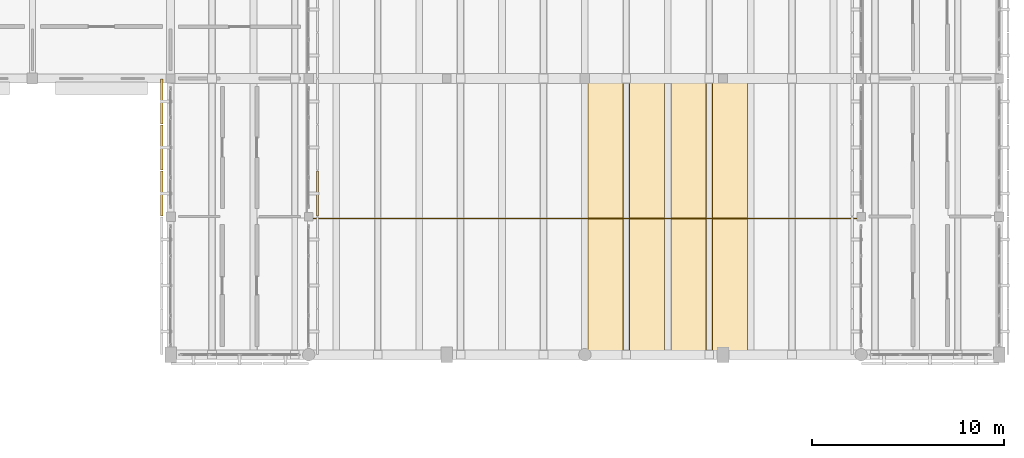
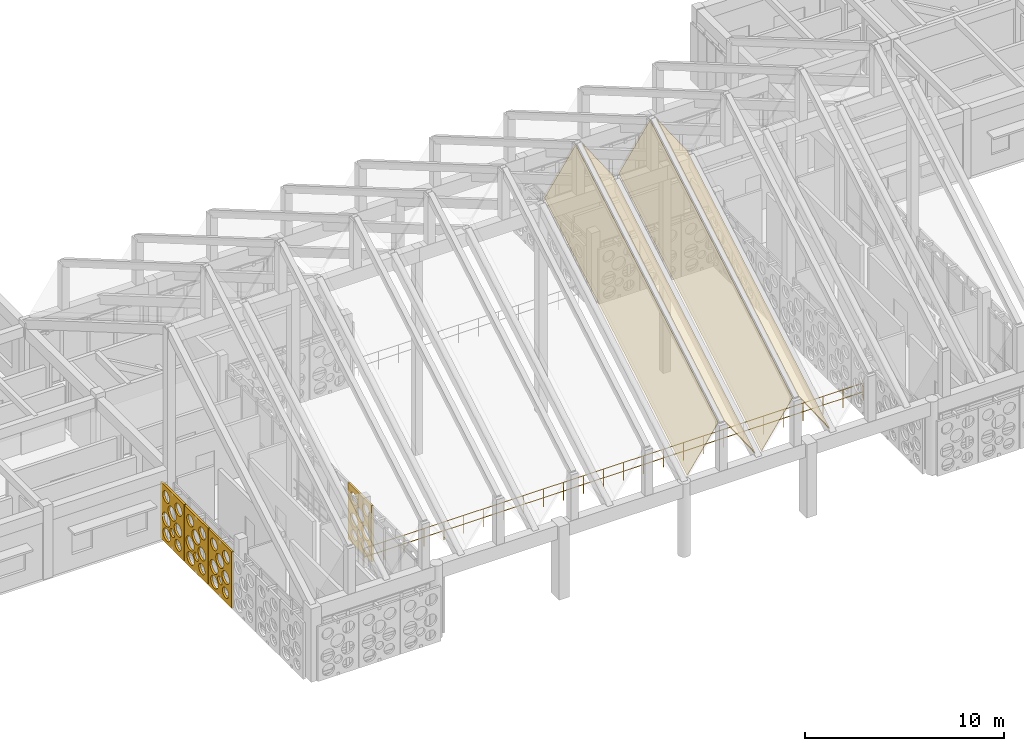
# One storey, part 155 of 171: 8 coverings, 1 railing.
"""IFC4 building model written with IfcOpenShell, lengths in metres."""

from ifc_helpers import new_model, si_unit, direction, frame, origin, origin_2d, place, context, subcontext, project, spatial, polyline, circle, outline, extrude, material, layer, layer_set, type_object, element, save


model = new_model("IFC4")

# Units and contexts
model_context = context("Model", 3, precision=1e-05, world=origin(), true_north=direction((0.0, 1.0)))
body_context = subcontext(model_context, "Body", "Model", "MODEL_VIEW")
ifc_project = project(units=[si_unit("LENGTHUNIT", "METRE"), si_unit("AREAUNIT", "SQUARE_METRE"), si_unit("VOLUMEUNIT", "CUBIC_METRE"), si_unit("PLANEANGLEUNIT", "RADIAN"), si_unit("MASSUNIT", "GRAM", prefix="KILO")], contexts=[model_context])

# Site, building, storey
site_placement = place(None, origin())
site = spatial("IfcSite", under=ifc_project, at=site_placement, CompositionType="ELEMENT")
building_placement = place(site_placement, origin())
building = spatial("IfcBuilding", under=site, at=building_placement, Name="Aldebral Square Health Centre", CompositionType="ELEMENT")
storey_placement = place(building_placement, frame((0.0, 0.0, 4.5)))
storey = spatial("IfcBuildingStorey", under=building, at=storey_placement, Name="L01", CompositionType="ELEMENT", Elevation=4.5)

# Coverings
ifc_material_1 = material(Name="Insulated mineral standing-seam roofing")
ifc_layer_1 = layer(ifc_material_1, 0.0400390625, Name="Insulated mineral standing-seam roofing")
ifc_layer_set_1 = layer_set([ifc_layer_1], Name="Insulated mineral standing-seam roofing")
covering_type_1 = type_object("IfcCoveringType", Name="COV-RF-40", PredefinedType="ROOFING", material=ifc_layer_set_1)
covering_1_placement = place(storey_placement, frame((86.574951171875, 72.0, 4.735595703125), z_axis=(-0.783125616046, -0.3133373167, 0.537153605085), x_axis=(0.565638067086, 0.0, 0.82465361035)))
element("IfcCovering", 1, at=covering_1_placement, inside=storey, type_object=covering_type_1, Name="Waiting Hall folded-plate roof bay 6 SW standing-seam roofing", PredefinedType="ROOFING", context=body_context, shape_type="SweptSolid", body=[
    extrude(outline(polyline([(0.0, 0.0), (3.2000296639766255, 5.551115123125783e-17), (10.09824906129536, 15.100521563128028), (6.898219397318735, 15.100521563128028), (0.0, 0.0)])), origin(), (0.0, 0.0, -1.0), 0.0400390625),
])
covering_2_placement = place(storey_placement, frame((88.735107421875, 72.0, 7.37451171875), z_axis=(0.783166464322, -0.313311395424, 0.537109168288), x_axis=(0.565586180238, 0.0, -0.824689197652)))
element("IfcCovering", 2, at=covering_2_placement, inside=storey, type_object=covering_type_1, Name="Waiting Hall folded-plate roof bay 6 SE standing-seam roofing", PredefinedType="ROOFING", context=body_context, shape_type="SweptSolid", body=[
    extrude(outline(polyline([(0.0, 0.0), (3.19989157507911, 0.0), (-3.6986255096734153, 15.100385570024907), (-6.898517084752526, 15.100385570024907), (0.0, 0.0)])), origin(), (0.0, 0.0, -1.0), 0.0400390625),
])
covering_3_placement = place(storey_placement, frame((90.89501953125, 72.0, 4.735595703125), z_axis=(-0.783125616046, -0.3133373167, 0.537153605085), x_axis=(0.565638067086, 0.0, 0.82465361035)))
element("IfcCovering", 3, at=covering_3_placement, inside=storey, type_object=covering_type_1, Name="Waiting Hall folded-plate roof bay 7 SW standing-seam roofing", PredefinedType="ROOFING", context=body_context, shape_type="SweptSolid", body=[
    extrude(outline(polyline([(0.0, 0.0), (3.2000296639766255, 5.551115123125783e-17), (10.09824906129536, 15.100521563128028), (6.898219397318735, 15.100521563128028), (0.0, 0.0)])), origin(), (0.0, 0.0, -1.0), 0.0400390625),
])
covering_4_placement = place(storey_placement, frame((93.054931640625, 72.0, 7.37451171875), z_axis=(0.783125616046, -0.3133373167, 0.537153605085), x_axis=(0.565638067086, 0.0, -0.82465361035)))
element("IfcCovering", 4, at=covering_4_placement, inside=storey, type_object=covering_type_1, Name="Waiting Hall folded-plate roof bay 7 SE standing-seam roofing", PredefinedType="ROOFING", context=body_context, shape_type="SweptSolid", body=[
    extrude(outline(polyline([(0.0, 0.0), (3.2000296639766255, -5.551115123125783e-17), (-3.6981897333421103, 15.100521563128028), (-6.898219397318735, 15.100521563128028), (0.0, 0.0)])), origin(), (0.0, 0.0, -1.0), 0.0400390625),
])
ifc_material_2 = material(Name="Cream cantera perforated stone screen", Category="masonry")
ifc_layer_2 = layer(ifc_material_2, 0.1201171875, Name="Cream cantera perforated stone screen", Category="masonry")
ifc_layer_set_2 = layer_set([ifc_layer_2], Name="Cream cantera perforated stone screen")
covering_type_2 = type_object("IfcCoveringType", Name="COV-SCR-120", PredefinedType="CLADDING", material=ifc_layer_set_2)
covering_5_placement = place(storey_placement, frame((64.340087890625, 86.3798828125, 0.0), z_axis=(0.0, 0.0, 1.0), x_axis=(0.0, -1.0, 0.0)))
element("IfcCovering", 5, at=covering_5_placement, inside=storey, type_object=covering_type_2, Name="L01 V1 circular-aperture stone screen L01-V1-09-11-W.1", PredefinedType="CLADDING", context=body_context, shape_type="SweptSolid", body=[
    extrude(outline(polyline([(0.0, 0.0), (2.35986328125, 0.0), (2.35986328125, 3.469970703125), (0.0, 3.469970703125), (0.0, 0.0)]), holes=[polyline([(0.98486328125, 0.55517578125), (0.966552734375, 0.4404296875), (0.913818359375, 0.3369140625), (0.831787109375, 0.2548828125), (0.728271484375, 0.2021484375), (0.613525390625, 0.18408203125), (0.498779296875, 0.2021484375), (0.3955078125, 0.2548828125), (0.313232421875, 0.3369140625), (0.260498046875, 0.4404296875), (0.242431640625, 0.55517578125), (0.260498046875, 0.669921875), (0.313232421875, 0.7734375), (0.3955078125, 0.85546875), (0.498779296875, 0.908203125), (0.613525390625, 0.926513671875), (0.728271484375, 0.908203125), (0.831787109375, 0.85546875), (0.913818359375, 0.7734375), (0.966552734375, 0.669921875), (0.98486328125, 0.55517578125)]), polyline([(2.059326171875, 0.58984375), (2.0439453125, 0.4931640625), (1.99951171875, 0.406005859375), (1.930419921875, 0.336669921875), (1.843017578125, 0.292236328125), (1.746337890625, 0.277099609375), (1.649658203125, 0.292236328125), (1.5625, 0.336669921875), (1.4931640625, 0.406005859375), (1.44873046875, 0.4931640625), (1.43359375, 0.58984375), (1.44873046875, 0.6865234375), (1.4931640625, 0.77392578125), (1.5625, 0.843017578125), (1.649658203125, 0.887451171875), (1.746337890625, 0.90283203125), (1.843017578125, 0.887451171875), (1.930419921875, 0.843017578125), (1.99951171875, 0.77392578125), (2.0439453125, 0.6865234375), (2.059326171875, 0.58984375)]), polyline([(0.970703125, 1.45751953125), (0.950927734375, 1.33251953125), (0.8935546875, 1.2197265625), (0.803955078125, 1.13037109375), (0.69140625, 1.072998046875), (0.56640625, 1.052978515625), (0.44140625, 1.072998046875), (0.328857421875, 1.13037109375), (0.2392578125, 1.2197265625), (0.181884765625, 1.33251953125), (0.162109375, 1.45751953125), (0.181884765625, 1.582275390625), (0.2392578125, 1.695068359375), (0.328857421875, 1.784423828125), (0.44140625, 1.841796875), (0.56640625, 1.86181640625), (0.69140625, 1.841796875), (0.803955078125, 1.784423828125), (0.8935546875, 1.695068359375), (0.950927734375, 1.582275390625), (0.970703125, 1.45751953125)]), polyline([(2.124267578125, 1.52685546875), (2.105712890625, 1.41015625), (2.052001953125, 1.3046875), (1.968505859375, 1.22119140625), (1.863037109375, 1.16748046875), (1.746337890625, 1.14892578125), (1.629638671875, 1.16748046875), (1.5244140625, 1.22119140625), (1.440673828125, 1.3046875), (1.38720703125, 1.41015625), (1.36865234375, 1.52685546875), (1.38720703125, 1.6435546875), (1.440673828125, 1.748779296875), (1.5244140625, 1.83251953125), (1.629638671875, 1.88623046875), (1.746337890625, 1.904541015625), (1.863037109375, 1.88623046875), (1.968505859375, 1.83251953125), (2.052001953125, 1.748779296875), (2.105712890625, 1.6435546875), (2.124267578125, 1.52685546875)]), polyline([(1.42431640625, 1.00634765625), (1.412353515625, 0.9306640625), (1.377685546875, 0.862548828125), (1.32373046875, 0.80859375), (1.255615234375, 0.77392578125), (1.179931640625, 0.761962890625), (1.1044921875, 0.77392578125), (1.036376953125, 0.80859375), (0.982177734375, 0.862548828125), (0.947509765625, 0.9306640625), (0.935546875, 1.00634765625), (0.947509765625, 1.081787109375), (0.982177734375, 1.14990234375), (1.036376953125, 1.2041015625), (1.1044921875, 1.23876953125), (1.179931640625, 1.250732421875), (1.255615234375, 1.23876953125), (1.32373046875, 1.2041015625), (1.377685546875, 1.14990234375), (1.412353515625, 1.081787109375), (1.42431640625, 1.00634765625)]), polyline([(1.563232421875, 2.18603515625), (1.54345703125, 2.060302734375), (1.485595703125, 1.947021484375), (1.3955078125, 1.85693359375), (1.2822265625, 1.799072265625), (1.156494140625, 1.779296875), (1.03076171875, 1.799072265625), (0.917236328125, 1.85693359375), (0.8271484375, 1.947021484375), (0.76953125, 2.060302734375), (0.74951171875, 2.18603515625), (0.76953125, 2.311767578125), (0.8271484375, 2.42529296875), (0.917236328125, 2.515380859375), (1.03076171875, 2.572998046875), (1.156494140625, 2.593017578125), (1.2822265625, 2.572998046875), (1.3955078125, 2.515380859375), (1.485595703125, 2.42529296875), (1.54345703125, 2.311767578125), (1.563232421875, 2.18603515625)]), polyline([(0.9091796875, 2.845458984375), (0.892333984375, 2.739501953125), (0.84375, 2.64404296875), (0.767822265625, 2.568115234375), (0.67236328125, 2.51953125), (0.56640625, 2.502685546875), (0.46044921875, 2.51953125), (0.364990234375, 2.568115234375), (0.2890625, 2.64404296875), (0.240478515625, 2.739501953125), (0.2236328125, 2.845458984375), (0.240478515625, 2.951416015625), (0.2890625, 3.046875), (0.364990234375, 3.12255859375), (0.46044921875, 3.17138671875), (0.56640625, 3.18798828125), (0.67236328125, 3.17138671875), (0.767822265625, 3.12255859375), (0.84375, 3.046875), (0.892333984375, 2.951416015625), (0.9091796875, 2.845458984375)]), polyline([(2.1513671875, 2.810791015625), (2.1337890625, 2.7001953125), (2.0830078125, 2.600341796875), (2.00390625, 2.521240234375), (1.904052734375, 2.470458984375), (1.793701171875, 2.452880859375), (1.68310546875, 2.470458984375), (1.583251953125, 2.521240234375), (1.504150390625, 2.600341796875), (1.453369140625, 2.7001953125), (1.435791015625, 2.810791015625), (1.453369140625, 2.921142578125), (1.504150390625, 3.02099609375), (1.583251953125, 3.10009765625), (1.68310546875, 3.15087890625), (1.793701171875, 3.16845703125), (1.904052734375, 3.15087890625), (2.00390625, 3.10009765625), (2.0830078125, 3.02099609375), (2.1337890625, 2.921142578125), (2.1513671875, 2.810791015625)])]), frame((0.0, 0.06005859375, 0.0), z_axis=(0.0, -1.0, 0.0), x_axis=(1.0, 0.0, 0.0)), (0.0, 0.0, 1.0), 0.1201171875),
])
covering_6_placement = place(storey_placement, frame((64.340087890625, 83.97998046875, 0.0), z_axis=(0.0, 0.0, 1.0), x_axis=(0.0, -1.0, 0.0)))
element("IfcCovering", 6, at=covering_6_placement, inside=storey, type_object=covering_type_2, Name="L01 V1 circular-aperture stone screen L01-V1-09-11-W.2", PredefinedType="CLADDING", context=body_context, shape_type="SweptSolid", body=[
    extrude(outline(polyline([(0.0, 0.0), (2.35986328125, 0.0), (2.35986328125, 3.469970703125), (0.0, 3.469970703125), (0.0, 0.0)]), holes=[polyline([(0.98486328125, 0.55517578125), (0.966552734375, 0.4404296875), (0.913818359375, 0.3369140625), (0.831787109375, 0.2548828125), (0.728271484375, 0.2021484375), (0.613525390625, 0.18408203125), (0.498779296875, 0.2021484375), (0.3955078125, 0.2548828125), (0.313232421875, 0.3369140625), (0.260498046875, 0.4404296875), (0.242431640625, 0.55517578125), (0.260498046875, 0.669921875), (0.313232421875, 0.7734375), (0.3955078125, 0.85546875), (0.498779296875, 0.908203125), (0.613525390625, 0.926513671875), (0.728271484375, 0.908203125), (0.831787109375, 0.85546875), (0.913818359375, 0.7734375), (0.966552734375, 0.669921875), (0.98486328125, 0.55517578125)]), polyline([(2.059326171875, 0.58984375), (2.0439453125, 0.4931640625), (1.99951171875, 0.406005859375), (1.930419921875, 0.336669921875), (1.843017578125, 0.292236328125), (1.746337890625, 0.277099609375), (1.649658203125, 0.292236328125), (1.5625, 0.336669921875), (1.4931640625, 0.406005859375), (1.44873046875, 0.4931640625), (1.43359375, 0.58984375), (1.44873046875, 0.6865234375), (1.4931640625, 0.77392578125), (1.5625, 0.843017578125), (1.649658203125, 0.887451171875), (1.746337890625, 0.90283203125), (1.843017578125, 0.887451171875), (1.930419921875, 0.843017578125), (1.99951171875, 0.77392578125), (2.0439453125, 0.6865234375), (2.059326171875, 0.58984375)]), polyline([(0.970703125, 1.45751953125), (0.950927734375, 1.33251953125), (0.8935546875, 1.2197265625), (0.803955078125, 1.13037109375), (0.69140625, 1.072998046875), (0.56640625, 1.052978515625), (0.44140625, 1.072998046875), (0.328857421875, 1.13037109375), (0.2392578125, 1.2197265625), (0.181884765625, 1.33251953125), (0.162109375, 1.45751953125), (0.181884765625, 1.582275390625), (0.2392578125, 1.695068359375), (0.328857421875, 1.784423828125), (0.44140625, 1.841796875), (0.56640625, 1.86181640625), (0.69140625, 1.841796875), (0.803955078125, 1.784423828125), (0.8935546875, 1.695068359375), (0.950927734375, 1.582275390625), (0.970703125, 1.45751953125)]), polyline([(2.124267578125, 1.52685546875), (2.105712890625, 1.41015625), (2.052001953125, 1.3046875), (1.968505859375, 1.22119140625), (1.863037109375, 1.16748046875), (1.746337890625, 1.14892578125), (1.629638671875, 1.16748046875), (1.5244140625, 1.22119140625), (1.440673828125, 1.3046875), (1.38720703125, 1.41015625), (1.36865234375, 1.52685546875), (1.38720703125, 1.6435546875), (1.440673828125, 1.748779296875), (1.5244140625, 1.83251953125), (1.629638671875, 1.88623046875), (1.746337890625, 1.904541015625), (1.863037109375, 1.88623046875), (1.968505859375, 1.83251953125), (2.052001953125, 1.748779296875), (2.105712890625, 1.6435546875), (2.124267578125, 1.52685546875)]), polyline([(1.42431640625, 1.00634765625), (1.412353515625, 0.9306640625), (1.377685546875, 0.862548828125), (1.32373046875, 0.80859375), (1.255615234375, 0.77392578125), (1.179931640625, 0.761962890625), (1.1044921875, 0.77392578125), (1.036376953125, 0.80859375), (0.982177734375, 0.862548828125), (0.947509765625, 0.9306640625), (0.935546875, 1.00634765625), (0.947509765625, 1.081787109375), (0.982177734375, 1.14990234375), (1.036376953125, 1.2041015625), (1.1044921875, 1.23876953125), (1.179931640625, 1.250732421875), (1.255615234375, 1.23876953125), (1.32373046875, 1.2041015625), (1.377685546875, 1.14990234375), (1.412353515625, 1.081787109375), (1.42431640625, 1.00634765625)]), polyline([(1.563232421875, 2.18603515625), (1.54345703125, 2.060302734375), (1.485595703125, 1.947021484375), (1.3955078125, 1.85693359375), (1.2822265625, 1.799072265625), (1.156494140625, 1.779296875), (1.03076171875, 1.799072265625), (0.917236328125, 1.85693359375), (0.8271484375, 1.947021484375), (0.76953125, 2.060302734375), (0.74951171875, 2.18603515625), (0.76953125, 2.311767578125), (0.8271484375, 2.42529296875), (0.917236328125, 2.515380859375), (1.03076171875, 2.572998046875), (1.156494140625, 2.593017578125), (1.2822265625, 2.572998046875), (1.3955078125, 2.515380859375), (1.485595703125, 2.42529296875), (1.54345703125, 2.311767578125), (1.563232421875, 2.18603515625)]), polyline([(0.9091796875, 2.845458984375), (0.892333984375, 2.739501953125), (0.84375, 2.64404296875), (0.767822265625, 2.568115234375), (0.67236328125, 2.51953125), (0.56640625, 2.502685546875), (0.46044921875, 2.51953125), (0.364990234375, 2.568115234375), (0.2890625, 2.64404296875), (0.240478515625, 2.739501953125), (0.2236328125, 2.845458984375), (0.240478515625, 2.951416015625), (0.2890625, 3.046875), (0.364990234375, 3.12255859375), (0.46044921875, 3.17138671875), (0.56640625, 3.18798828125), (0.67236328125, 3.17138671875), (0.767822265625, 3.12255859375), (0.84375, 3.046875), (0.892333984375, 2.951416015625), (0.9091796875, 2.845458984375)]), polyline([(2.1513671875, 2.810791015625), (2.1337890625, 2.7001953125), (2.0830078125, 2.600341796875), (2.00390625, 2.521240234375), (1.904052734375, 2.470458984375), (1.793701171875, 2.452880859375), (1.68310546875, 2.470458984375), (1.583251953125, 2.521240234375), (1.504150390625, 2.600341796875), (1.453369140625, 2.7001953125), (1.435791015625, 2.810791015625), (1.453369140625, 2.921142578125), (1.504150390625, 3.02099609375), (1.583251953125, 3.10009765625), (1.68310546875, 3.15087890625), (1.793701171875, 3.16845703125), (1.904052734375, 3.15087890625), (2.00390625, 3.10009765625), (2.0830078125, 3.02099609375), (2.1337890625, 2.921142578125), (2.1513671875, 2.810791015625)])]), frame((0.0, 0.06005859375, 0.0), z_axis=(0.0, -1.0, 0.0), x_axis=(1.0, 0.0, 0.0)), (0.0, 0.0, 1.0), 0.1201171875),
])
covering_7_placement = place(storey_placement, frame((64.340087890625, 81.580078125, 0.0), z_axis=(0.0, 0.0, 1.0), x_axis=(0.0, -1.0, 0.0)))
element("IfcCovering", 7, at=covering_7_placement, inside=storey, type_object=covering_type_2, Name="L01 V1 circular-aperture stone screen L01-V1-09-11-W.3", PredefinedType="CLADDING", context=body_context, shape_type="SweptSolid", body=[
    extrude(outline(polyline([(0.0, 0.0), (2.360107421875, 0.0), (2.360107421875, 3.469970703125), (0.0, 3.469970703125), (0.0, 0.0)]), holes=[polyline([(0.98486328125, 0.55517578125), (0.966552734375, 0.4404296875), (0.913818359375, 0.3369140625), (0.831787109375, 0.2548828125), (0.728271484375, 0.2021484375), (0.613525390625, 0.18408203125), (0.498779296875, 0.2021484375), (0.3955078125, 0.2548828125), (0.313232421875, 0.3369140625), (0.260498046875, 0.4404296875), (0.242431640625, 0.55517578125), (0.260498046875, 0.669921875), (0.313232421875, 0.7734375), (0.3955078125, 0.85546875), (0.498779296875, 0.908203125), (0.613525390625, 0.926513671875), (0.728271484375, 0.908203125), (0.831787109375, 0.85546875), (0.913818359375, 0.7734375), (0.966552734375, 0.669921875), (0.98486328125, 0.55517578125)]), polyline([(2.059326171875, 0.58984375), (2.0439453125, 0.4931640625), (1.99951171875, 0.406005859375), (1.930419921875, 0.336669921875), (1.843017578125, 0.292236328125), (1.746337890625, 0.277099609375), (1.649658203125, 0.292236328125), (1.5625, 0.336669921875), (1.4931640625, 0.406005859375), (1.44873046875, 0.4931640625), (1.43359375, 0.58984375), (1.44873046875, 0.6865234375), (1.4931640625, 0.77392578125), (1.5625, 0.843017578125), (1.649658203125, 0.887451171875), (1.746337890625, 0.90283203125), (1.843017578125, 0.887451171875), (1.930419921875, 0.843017578125), (1.99951171875, 0.77392578125), (2.0439453125, 0.6865234375), (2.059326171875, 0.58984375)]), polyline([(0.970703125, 1.45751953125), (0.950927734375, 1.33251953125), (0.8935546875, 1.2197265625), (0.803955078125, 1.13037109375), (0.69140625, 1.072998046875), (0.56640625, 1.052978515625), (0.44140625, 1.072998046875), (0.328857421875, 1.13037109375), (0.2392578125, 1.2197265625), (0.181884765625, 1.33251953125), (0.162109375, 1.45751953125), (0.181884765625, 1.582275390625), (0.2392578125, 1.695068359375), (0.328857421875, 1.784423828125), (0.44140625, 1.841796875), (0.56640625, 1.86181640625), (0.69140625, 1.841796875), (0.803955078125, 1.784423828125), (0.8935546875, 1.695068359375), (0.950927734375, 1.582275390625), (0.970703125, 1.45751953125)]), polyline([(2.124267578125, 1.52685546875), (2.105712890625, 1.41015625), (2.052001953125, 1.3046875), (1.968505859375, 1.22119140625), (1.863037109375, 1.16748046875), (1.746337890625, 1.14892578125), (1.629638671875, 1.16748046875), (1.5244140625, 1.22119140625), (1.440673828125, 1.3046875), (1.38720703125, 1.41015625), (1.36865234375, 1.52685546875), (1.38720703125, 1.6435546875), (1.440673828125, 1.748779296875), (1.5244140625, 1.83251953125), (1.629638671875, 1.88623046875), (1.746337890625, 1.904541015625), (1.863037109375, 1.88623046875), (1.968505859375, 1.83251953125), (2.052001953125, 1.748779296875), (2.105712890625, 1.6435546875), (2.124267578125, 1.52685546875)]), polyline([(1.42431640625, 1.00634765625), (1.412353515625, 0.9306640625), (1.377685546875, 0.862548828125), (1.32373046875, 0.80859375), (1.255615234375, 0.77392578125), (1.179931640625, 0.761962890625), (1.1044921875, 0.77392578125), (1.036376953125, 0.80859375), (0.982177734375, 0.862548828125), (0.947509765625, 0.9306640625), (0.935546875, 1.00634765625), (0.947509765625, 1.081787109375), (0.982177734375, 1.14990234375), (1.036376953125, 1.2041015625), (1.1044921875, 1.23876953125), (1.179931640625, 1.250732421875), (1.255615234375, 1.23876953125), (1.32373046875, 1.2041015625), (1.377685546875, 1.14990234375), (1.412353515625, 1.081787109375), (1.42431640625, 1.00634765625)]), polyline([(1.563232421875, 2.18603515625), (1.54345703125, 2.060302734375), (1.485595703125, 1.947021484375), (1.3955078125, 1.85693359375), (1.2822265625, 1.799072265625), (1.156494140625, 1.779296875), (1.03076171875, 1.799072265625), (0.917236328125, 1.85693359375), (0.8271484375, 1.947021484375), (0.76953125, 2.060302734375), (0.74951171875, 2.18603515625), (0.76953125, 2.311767578125), (0.8271484375, 2.42529296875), (0.917236328125, 2.515380859375), (1.03076171875, 2.572998046875), (1.156494140625, 2.593017578125), (1.2822265625, 2.572998046875), (1.3955078125, 2.515380859375), (1.485595703125, 2.42529296875), (1.54345703125, 2.311767578125), (1.563232421875, 2.18603515625)]), polyline([(0.9091796875, 2.845458984375), (0.892333984375, 2.739501953125), (0.84375, 2.64404296875), (0.767822265625, 2.568115234375), (0.67236328125, 2.51953125), (0.56640625, 2.502685546875), (0.46044921875, 2.51953125), (0.364990234375, 2.568115234375), (0.2890625, 2.64404296875), (0.240478515625, 2.739501953125), (0.2236328125, 2.845458984375), (0.240478515625, 2.951416015625), (0.2890625, 3.046875), (0.364990234375, 3.12255859375), (0.46044921875, 3.17138671875), (0.56640625, 3.18798828125), (0.67236328125, 3.17138671875), (0.767822265625, 3.12255859375), (0.84375, 3.046875), (0.892333984375, 2.951416015625), (0.9091796875, 2.845458984375)]), polyline([(2.1513671875, 2.810791015625), (2.1337890625, 2.7001953125), (2.0830078125, 2.600341796875), (2.00390625, 2.521240234375), (1.904052734375, 2.470458984375), (1.793701171875, 2.452880859375), (1.68310546875, 2.470458984375), (1.583251953125, 2.521240234375), (1.504150390625, 2.600341796875), (1.453369140625, 2.7001953125), (1.435791015625, 2.810791015625), (1.453369140625, 2.921142578125), (1.504150390625, 3.02099609375), (1.583251953125, 3.10009765625), (1.68310546875, 3.15087890625), (1.793701171875, 3.16845703125), (1.904052734375, 3.15087890625), (2.00390625, 3.10009765625), (2.0830078125, 3.02099609375), (2.1337890625, 2.921142578125), (2.1513671875, 2.810791015625)])]), frame((0.0, 0.06005859375, 0.0), z_axis=(0.0, -1.0, 0.0), x_axis=(1.0, 0.0, 0.0)), (0.0, 0.0, 1.0), 0.1201171875),
])
covering_8_placement = place(storey_placement, frame((72.4599609375, 79.219970703125, 0.0), z_axis=(0.0, 0.0, 1.0), x_axis=(0.0, 1.0, 0.0)))
element("IfcCovering", 8, at=covering_8_placement, inside=storey, type_object=covering_type_2, Name="L01 V1 circular-aperture stone screen L01-V1-09-11-E.1", PredefinedType="CLADDING", context=body_context, shape_type="SweptSolid", body=[
    extrude(outline(polyline([(0.0, 0.0), (2.360107421875, 0.0), (2.360107421875, 3.469970703125), (0.0, 3.469970703125), (0.0, 0.0)]), holes=[polyline([(0.98486328125, 0.55517578125), (0.966552734375, 0.4404296875), (0.913818359375, 0.3369140625), (0.831787109375, 0.2548828125), (0.728271484375, 0.2021484375), (0.613525390625, 0.18408203125), (0.498779296875, 0.2021484375), (0.3955078125, 0.2548828125), (0.313232421875, 0.3369140625), (0.260498046875, 0.4404296875), (0.242431640625, 0.55517578125), (0.260498046875, 0.669921875), (0.313232421875, 0.7734375), (0.3955078125, 0.85546875), (0.498779296875, 0.908203125), (0.613525390625, 0.926513671875), (0.728271484375, 0.908203125), (0.831787109375, 0.85546875), (0.913818359375, 0.7734375), (0.966552734375, 0.669921875), (0.98486328125, 0.55517578125)]), polyline([(2.059326171875, 0.58984375), (2.0439453125, 0.4931640625), (1.99951171875, 0.406005859375), (1.930419921875, 0.336669921875), (1.843017578125, 0.292236328125), (1.746337890625, 0.277099609375), (1.649658203125, 0.292236328125), (1.5625, 0.336669921875), (1.4931640625, 0.406005859375), (1.44873046875, 0.4931640625), (1.43359375, 0.58984375), (1.44873046875, 0.6865234375), (1.4931640625, 0.77392578125), (1.5625, 0.843017578125), (1.649658203125, 0.887451171875), (1.746337890625, 0.90283203125), (1.843017578125, 0.887451171875), (1.930419921875, 0.843017578125), (1.99951171875, 0.77392578125), (2.0439453125, 0.6865234375), (2.059326171875, 0.58984375)]), polyline([(0.970703125, 1.45751953125), (0.950927734375, 1.33251953125), (0.8935546875, 1.2197265625), (0.803955078125, 1.13037109375), (0.69140625, 1.072998046875), (0.56640625, 1.052978515625), (0.44140625, 1.072998046875), (0.328857421875, 1.13037109375), (0.2392578125, 1.2197265625), (0.181884765625, 1.33251953125), (0.162109375, 1.45751953125), (0.181884765625, 1.582275390625), (0.2392578125, 1.695068359375), (0.328857421875, 1.784423828125), (0.44140625, 1.841796875), (0.56640625, 1.86181640625), (0.69140625, 1.841796875), (0.803955078125, 1.784423828125), (0.8935546875, 1.695068359375), (0.950927734375, 1.582275390625), (0.970703125, 1.45751953125)]), polyline([(2.124267578125, 1.52685546875), (2.105712890625, 1.41015625), (2.052001953125, 1.3046875), (1.968505859375, 1.22119140625), (1.863037109375, 1.16748046875), (1.746337890625, 1.14892578125), (1.629638671875, 1.16748046875), (1.5244140625, 1.22119140625), (1.440673828125, 1.3046875), (1.38720703125, 1.41015625), (1.36865234375, 1.52685546875), (1.38720703125, 1.6435546875), (1.440673828125, 1.748779296875), (1.5244140625, 1.83251953125), (1.629638671875, 1.88623046875), (1.746337890625, 1.904541015625), (1.863037109375, 1.88623046875), (1.968505859375, 1.83251953125), (2.052001953125, 1.748779296875), (2.105712890625, 1.6435546875), (2.124267578125, 1.52685546875)]), polyline([(1.42431640625, 1.00634765625), (1.412353515625, 0.9306640625), (1.377685546875, 0.862548828125), (1.32373046875, 0.80859375), (1.255615234375, 0.77392578125), (1.179931640625, 0.761962890625), (1.1044921875, 0.77392578125), (1.036376953125, 0.80859375), (0.982177734375, 0.862548828125), (0.947509765625, 0.9306640625), (0.935546875, 1.00634765625), (0.947509765625, 1.081787109375), (0.982177734375, 1.14990234375), (1.036376953125, 1.2041015625), (1.1044921875, 1.23876953125), (1.179931640625, 1.250732421875), (1.255615234375, 1.23876953125), (1.32373046875, 1.2041015625), (1.377685546875, 1.14990234375), (1.412353515625, 1.081787109375), (1.42431640625, 1.00634765625)]), polyline([(1.563232421875, 2.18603515625), (1.54345703125, 2.060302734375), (1.485595703125, 1.947021484375), (1.3955078125, 1.85693359375), (1.2822265625, 1.799072265625), (1.156494140625, 1.779296875), (1.03076171875, 1.799072265625), (0.917236328125, 1.85693359375), (0.8271484375, 1.947021484375), (0.76953125, 2.060302734375), (0.74951171875, 2.18603515625), (0.76953125, 2.311767578125), (0.8271484375, 2.42529296875), (0.917236328125, 2.515380859375), (1.03076171875, 2.572998046875), (1.156494140625, 2.593017578125), (1.2822265625, 2.572998046875), (1.3955078125, 2.515380859375), (1.485595703125, 2.42529296875), (1.54345703125, 2.311767578125), (1.563232421875, 2.18603515625)]), polyline([(0.9091796875, 2.845458984375), (0.892333984375, 2.739501953125), (0.84375, 2.64404296875), (0.767822265625, 2.568115234375), (0.67236328125, 2.51953125), (0.56640625, 2.502685546875), (0.46044921875, 2.51953125), (0.364990234375, 2.568115234375), (0.2890625, 2.64404296875), (0.240478515625, 2.739501953125), (0.2236328125, 2.845458984375), (0.240478515625, 2.951416015625), (0.2890625, 3.046875), (0.364990234375, 3.12255859375), (0.46044921875, 3.17138671875), (0.56640625, 3.18798828125), (0.67236328125, 3.17138671875), (0.767822265625, 3.12255859375), (0.84375, 3.046875), (0.892333984375, 2.951416015625), (0.9091796875, 2.845458984375)]), polyline([(2.1513671875, 2.810791015625), (2.1337890625, 2.7001953125), (2.0830078125, 2.600341796875), (2.00390625, 2.521240234375), (1.904052734375, 2.470458984375), (1.793701171875, 2.452880859375), (1.68310546875, 2.470458984375), (1.583251953125, 2.521240234375), (1.504150390625, 2.600341796875), (1.453369140625, 2.7001953125), (1.435791015625, 2.810791015625), (1.453369140625, 2.921142578125), (1.504150390625, 3.02099609375), (1.583251953125, 3.10009765625), (1.68310546875, 3.15087890625), (1.793701171875, 3.16845703125), (1.904052734375, 3.15087890625), (2.00390625, 3.10009765625), (2.0830078125, 3.02099609375), (2.1337890625, 2.921142578125), (2.1513671875, 2.810791015625)])]), frame((0.0, 0.06005859375, 0.0), z_axis=(0.0, -1.0, 0.0), x_axis=(1.0, 0.0, 0.0)), (0.0, 0.0, 1.0), 0.1201171875),
])

# Railing
ifc_material_3 = material(Name="Laminated glass and steel atrium guard", Category="steel")
railing_type = type_object("IfcRailingType", Name="RL-AT-BAL", PredefinedType="BALUSTRADE", material=ifc_material_3)
railing_placement = place(storey_placement, frame((71.89990234375, 79.10009765625, 0.0)))
element("IfcRailing", 9, at=railing_placement, inside=storey, type_object=railing_type, Name="Waiting Hall L01 gallery balustrade 1", PredefinedType="BALUSTRADE", context=body_context, shape_type="SweptSolid", body=[
    extrude(circle(Radius=0.02392578125, at=origin_2d()), frame((0.0, 0.0, 1.09619140625), z_axis=(1.0, 0.0, 0.0), x_axis=(0.0, 1.0, 0.0)), (0.0, 0.0, 1.0), 29.0),
    extrude(circle(Radius=0.02392578125, at=origin_2d()), frame((0.0, 0.0, 0.56005859375), z_axis=(1.0, 0.0, 0.0), x_axis=(0.0, 1.0, 0.0)), (0.0, 0.0, 1.0), 29.0),
    extrude(circle(Radius=0.02099609375, at=origin_2d()), origin(), (0.0, 0.0, 1.0), 1.072021484375),
    extrude(circle(Radius=0.02099609375, at=origin_2d()), frame((1.159912109375, 0.0, 0.0)), (0.0, 0.0, 1.0), 1.072021484375),
    extrude(circle(Radius=0.02099609375, at=origin_2d()), frame((2.320068359375, 0.0, 0.0)), (0.0, 0.0, 1.0), 1.072021484375),
    extrude(circle(Radius=0.02099609375, at=origin_2d()), frame((3.47998046875, 0.0, 0.0)), (0.0, 0.0, 1.0), 1.072021484375),
    extrude(circle(Radius=0.02099609375, at=origin_2d()), frame((4.639892578125, 0.0, 0.0)), (0.0, 0.0, 1.0), 1.072021484375),
    extrude(circle(Radius=0.02099609375, at=origin_2d()), frame((5.800048828125, 0.0, 0.0)), (0.0, 0.0, 1.0), 1.072021484375),
    extrude(circle(Radius=0.02099609375, at=origin_2d()), frame((6.9599609375, 0.0, 0.0)), (0.0, 0.0, 1.0), 1.072021484375),
    extrude(circle(Radius=0.02099609375, at=origin_2d()), frame((8.1201171875, 0.0, 0.0)), (0.0, 0.0, 1.0), 1.072021484375),
    extrude(circle(Radius=0.02099609375, at=origin_2d()), frame((9.280029296875, 0.0, 0.0)), (0.0, 0.0, 1.0), 1.072021484375),
    extrude(circle(Radius=0.02099609375, at=origin_2d()), frame((10.43994140625, 0.0, 0.0)), (0.0, 0.0, 1.0), 1.072021484375),
    extrude(circle(Radius=0.02099609375, at=origin_2d()), frame((11.60009765625, 0.0, 0.0)), (0.0, 0.0, 1.0), 1.072021484375),
    extrude(circle(Radius=0.02099609375, at=origin_2d()), frame((12.760009765625, 0.0, 0.0)), (0.0, 0.0, 1.0), 1.072021484375),
    extrude(circle(Radius=0.02099609375, at=origin_2d()), frame((13.919921875, 0.0, 0.0)), (0.0, 0.0, 1.0), 1.072021484375),
    extrude(circle(Radius=0.02099609375, at=origin_2d()), frame((15.080078125, 0.0, 0.0)), (0.0, 0.0, 1.0), 1.072021484375),
    extrude(circle(Radius=0.02099609375, at=origin_2d()), frame((16.239990234375, 0.0, 0.0)), (0.0, 0.0, 1.0), 1.072021484375),
    extrude(circle(Radius=0.02099609375, at=origin_2d()), frame((17.39990234375, 0.0, 0.0)), (0.0, 0.0, 1.0), 1.072021484375),
    extrude(circle(Radius=0.02099609375, at=origin_2d()), frame((18.56005859375, 0.0, 0.0)), (0.0, 0.0, 1.0), 1.072021484375),
    extrude(circle(Radius=0.02099609375, at=origin_2d()), frame((19.719970703125, 0.0, 0.0)), (0.0, 0.0, 1.0), 1.072021484375),
    extrude(circle(Radius=0.02099609375, at=origin_2d()), frame((20.8798828125, 0.0, 0.0)), (0.0, 0.0, 1.0), 1.072021484375),
    extrude(circle(Radius=0.02099609375, at=origin_2d()), frame((22.0400390625, 0.0, 0.0)), (0.0, 0.0, 1.0), 1.072021484375),
    extrude(circle(Radius=0.02099609375, at=origin_2d()), frame((23.199951171875, 0.0, 0.0)), (0.0, 0.0, 1.0), 1.072021484375),
    extrude(circle(Radius=0.02099609375, at=origin_2d()), frame((24.360107421875, 0.0, 0.0)), (0.0, 0.0, 1.0), 1.072021484375),
    extrude(circle(Radius=0.02099609375, at=origin_2d()), frame((25.52001953125, 0.0, 0.0)), (0.0, 0.0, 1.0), 1.072021484375),
    extrude(circle(Radius=0.02099609375, at=origin_2d()), frame((26.679931640625, 0.0, 0.0)), (0.0, 0.0, 1.0), 1.072021484375),
    extrude(circle(Radius=0.02099609375, at=origin_2d()), frame((27.840087890625, 0.0, 0.0)), (0.0, 0.0, 1.0), 1.072021484375),
    extrude(circle(Radius=0.02099609375, at=origin_2d()), frame((29.0, 0.0, 0.0)), (0.0, 0.0, 1.0), 1.072021484375),
])

save(model, "model.ifc")
